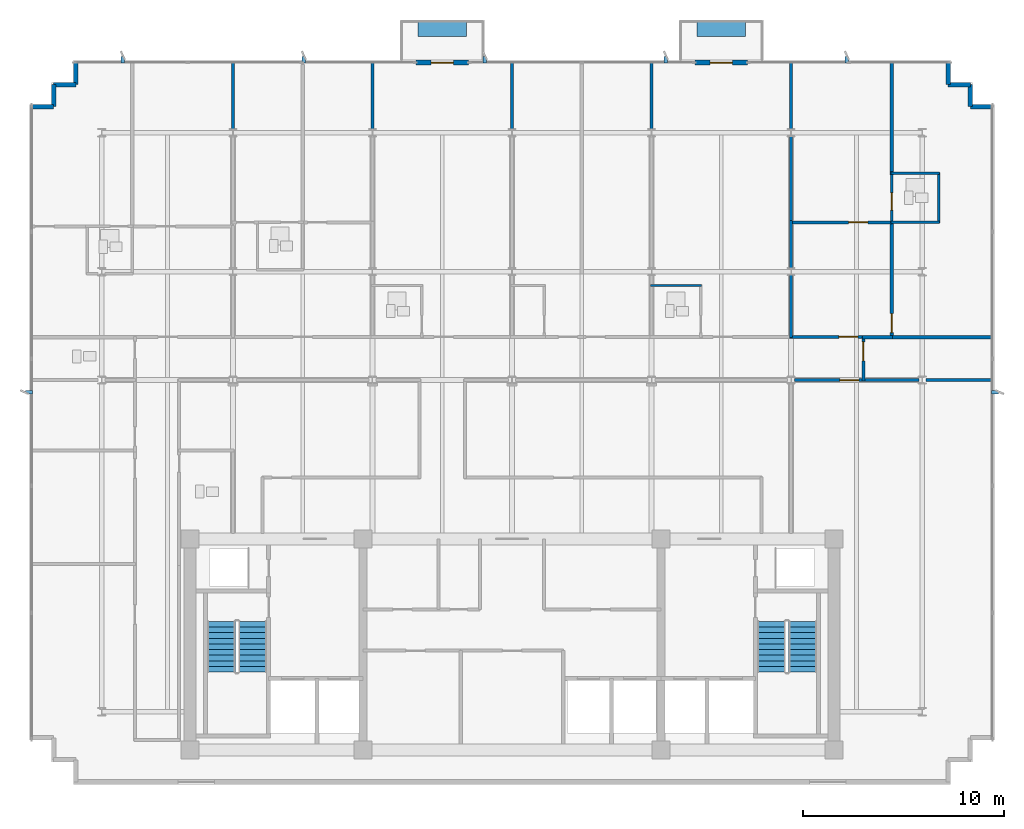
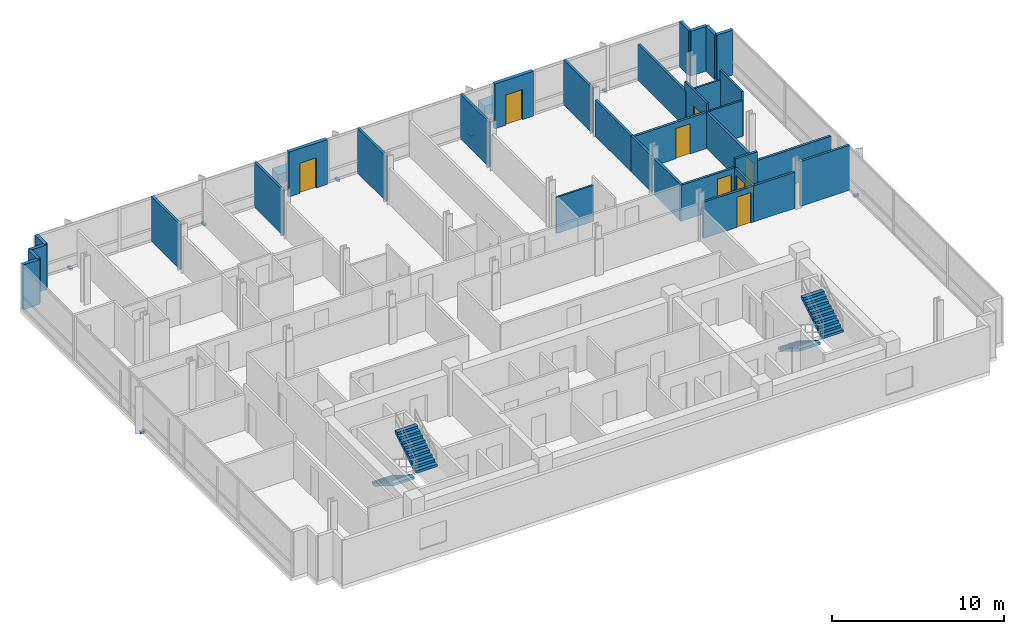
# One storey, part 11 of 14: 33 walls, 9 discrete accessories, 8 doors, 4 stair flights, 8 openings, 2 elements without a shape of their own.
"""IFC4 building model written with IfcOpenShell, lengths in metres."""

import ifcopenshell
import ifcopenshell.guid

model = None  # the IFC model being written
_history = None  # IfcOwnerHistory: only IFC2X3 demands one
_inside = {}  # id of a spatial element -> (the spatial element, [elements in it])
_under = {}  # id of a project, library or spatial element -> (it, [spatial elements below it])
_declared = {}  # id of a project -> (the project, [libraries it declares])
_typed = {}  # id of a type object -> (the type object, [elements of that type])
_made_of = {}  # id of a material, layer set ... -> (it, [elements and type objects made of it])


def new_model(schema):
    """Start an empty IFC model of exactly this schema.

    Asked for "IFC4X3", IfcOpenShell would pick the latest addendum, in which some entities
    have other attributes; the version numbers below select the first issue.
    IFC2X3 requires an IfcOwnerHistory on every rooted entity: one is made here for all.
    """
    global model, _history
    if schema == "IFC4X3":
        model = ifcopenshell.file(schema_version=(4, 3, 0, 0))
    else:
        model = ifcopenshell.file(schema=schema)
    _inside.clear()
    _under.clear()
    _declared.clear()
    _typed.clear()
    _made_of.clear()
    _history = None
    if model.schema == "IFC2X3":
        org = make("IfcOrganization", Name="unknown")
        user = make(
            "IfcPersonAndOrganization",
            ThePerson=make("IfcPerson", FamilyName="unknown"),
            TheOrganization=org,
        )
        app = make(
            "IfcApplication",
            ApplicationDeveloper=org,
            Version="unknown",
            ApplicationFullName="unknown",
            ApplicationIdentifier="unknown",
        )
        _history = make(
            "IfcOwnerHistory",
            OwningUser=user,
            OwningApplication=app,
            ChangeAction="ADDED",
            CreationDate=0,
        )
    return model


def make(cls, **values):
    """One entity of the class cls with the attributes given. An attribute that is None is left unset."""
    return model.create_entity(
        cls, **{name: value for name, value in values.items() if value is not None}
    )


def rooted(cls, **values):
    """An entity with a GlobalId (a new one), such as an element, a storey or a relation."""
    return make(cls, GlobalId=ifcopenshell.guid.new(), OwnerHistory=_history, **values)


def si_unit(unit_type, name, prefix=None):
    """IfcSIUnit, for example si_unit("LENGTHUNIT", "METRE", prefix="MILLI")."""
    return make("IfcSIUnit", UnitType=unit_type, Prefix=prefix, Name=name)


def assignment(units):
    """IfcUnitAssignment: the units of a project."""
    return None if units is None else make("IfcUnitAssignment", Units=units)


def point(xyz):
    """IfcCartesianPoint."""
    return None if xyz is None else make("IfcCartesianPoint", Coordinates=xyz)


def direction(xyz):
    """IfcDirection."""
    return None if xyz is None else make("IfcDirection", DirectionRatios=xyz)


def frame(location, z_axis=None, x_axis=None):
    """IfcAxis2Placement3D, a coordinate frame: its origin and axes. An axis left out is left unset."""
    return make(
        "IfcAxis2Placement3D",
        Location=point(location),
        Axis=direction(z_axis),
        RefDirection=direction(x_axis),
    )


def frame_2d(location, x_axis=None):
    """IfcAxis2Placement2D, a coordinate frame in the plane: its origin and x axis."""
    return make(
        "IfcAxis2Placement2D", Location=point(location), RefDirection=direction(x_axis)
    )


def origin():
    """The frame at (0, 0, 0) with its axes left unset."""
    return frame((0.0, 0.0, 0.0))


def origin_2d():
    """The frame at (0, 0) in the plane with its x axis left unset."""
    return frame_2d((0.0, 0.0))


def place(relative_to, where):
    """IfcLocalPlacement: puts the frame where relative to a parent placement (None: the world)."""
    return make(
        "IfcLocalPlacement", PlacementRelTo=relative_to, RelativePlacement=where
    )


def context(
    kind, dimensions, precision=None, world=None, true_north=None, identifier=None
):
    """IfcGeometricRepresentationContext, for example the 3D "Model" context."""
    return make(
        "IfcGeometricRepresentationContext",
        ContextIdentifier=identifier,
        ContextType=kind,
        CoordinateSpaceDimension=dimensions,
        Precision=precision,
        WorldCoordinateSystem=world,
        TrueNorth=true_north,
    )


def subcontext(parent, identifier, kind, view, scale=None):
    """IfcGeometricRepresentationSubContext, for example "Body" below "Model"."""
    return make(
        "IfcGeometricRepresentationSubContext",
        ContextIdentifier=identifier,
        ContextType=kind,
        ParentContext=parent,
        TargetScale=scale,
        TargetView=view,
    )


def project(units=None, contexts=None):
    """IfcProject with its units and contexts."""
    return rooted(
        "IfcProject",
        Name="project",
        RepresentationContexts=contexts,
        UnitsInContext=assignment(units),
    )


def spatial(cls, under=None, at=None, **own):
    """A site, building, storey or space (cls), placed at a placement, below another one or the project."""
    s = rooted(cls, ObjectPlacement=at, **own)
    if under is not None:
        _under.setdefault(under.id(), (under, []))[1].append(s)
    return s


def polyline(points):
    """IfcPolyline through the points."""
    return make("IfcPolyline", Points=[point(p) for p in points])


def profile(cls, at=None, kind="AREA", **sizes):
    """A parametric profile (cls). Its sizes go by their IFC names, for example OverallWidth=200.0."""
    return make(cls, ProfileType=kind, Position=at, **sizes)


def rectangle(**sizes):
    """IfcRectangleProfileDef."""
    return profile("IfcRectangleProfileDef", **sizes)


def outline(outer, holes=None, kind="AREA"):
    """IfcArbitraryClosedProfileDef: a profile drawn as a closed curve; with holes, ...WithVoids."""
    if holes is None:
        return make("IfcArbitraryClosedProfileDef", ProfileType=kind, OuterCurve=outer)
    return make(
        "IfcArbitraryProfileDefWithVoids",
        ProfileType=kind,
        OuterCurve=outer,
        InnerCurves=holes,
    )


def extrude(swept, where, along, depth):
    """IfcExtrudedAreaSolid: the profile swept, set in the frame where, extruded along a direction by depth."""
    return make(
        "IfcExtrudedAreaSolid",
        SweptArea=swept,
        Position=where,
        ExtrudedDirection=direction(along),
        Depth=depth,
    )


def shape(context_of_items, identifier, shape_type, items):
    """IfcShapeRepresentation: the items that make up one representation, for example the "Body"."""
    return make(
        "IfcShapeRepresentation",
        ContextOfItems=context_of_items,
        RepresentationIdentifier=identifier,
        RepresentationType=shape_type,
        Items=items,
    )


def material(Name=None, Category=None):
    """IfcMaterial."""
    return make("IfcMaterial", Name=Name, Category=Category)


def layer(
    of_material, thickness, ventilated=None, Name=None, Category=None, Priority=None
):
    """IfcMaterialLayer: one layer of a wall or slab, of a material (None: an air gap)."""
    return make(
        "IfcMaterialLayer",
        Material=of_material,
        LayerThickness=thickness,
        IsVentilated=ventilated,
        Name=Name,
        Category=Category,
        Priority=Priority,
    )


def layer_set(layers, Name=None):
    """IfcMaterialLayerSet."""
    return make("IfcMaterialLayerSet", MaterialLayers=layers, LayerSetName=Name)


def made_of(thing, what):
    """Note that an element or type object is made of a material, layer set ...; save() writes the relation."""
    if what is not None:
        _made_of.setdefault(what.id(), (what, []))[1].append(thing)
    return thing


def type_object(cls, material=None, **own):
    """A type object (cls), such as IfcWallType, which elements share."""
    return made_of(rooted(cls, **own), material)


def element(
    cls,
    number,
    at=None,
    inside=None,
    cuts=None,
    type_object=None,
    material=None,
    context=None,
    identifier="Body",
    shape_type=None,
    held_by="IfcProductDefinitionShape",
    body=None,
    shapes=None,
    **own,
):
    """One element of the class cls, such as IfcWall. Its Tag is "e" and its number.

    at: its placement. inside: the storey or other place that contains it. cuts: it is an
    opening in that element (IfcRelVoidsElement). A single representation is given by context,
    identifier, shape_type and body (its items); several are given by shapes. held_by: the class
    of the entity that holds the representations. save() writes the other relations.
    """
    e = rooted(cls, Tag="e%d" % number, ObjectPlacement=at, **own)
    if body is not None:
        shapes = [shape(context, identifier, shape_type, body)]
    if shapes is not None:
        e.Representation = make(held_by, Representations=shapes)
    if inside is not None:
        _inside.setdefault(inside.id(), (inside, []))[1].append(e)
    if cuts is not None:
        rooted(
            "IfcRelVoidsElement", RelatingBuildingElement=cuts, RelatedOpeningElement=e
        )
    if type_object is not None:
        _typed.setdefault(type_object.id(), (type_object, []))[1].append(e)
    return made_of(e, material)


def fill(opening, filler):
    """IfcRelFillsElement: the door or window that sits in an opening."""
    return rooted(
        "IfcRelFillsElement",
        RelatingOpeningElement=opening,
        RelatedBuildingElement=filler,
    )


def aggregate(whole, parts):
    """IfcRelAggregates: a whole, such as a stair, and the parts it consists of."""
    return rooted("IfcRelAggregates", RelatingObject=whole, RelatedObjects=parts)


def save(model, path):
    """Write the relations noted so far, then the file.

    IfcRelAggregates (storeys below a building ...), IfcRelContainedInSpatialStructure (elements
    in a storey), IfcRelDefinesByType, IfcRelAssociatesMaterial and IfcRelDeclares: one each for
    every whole, place, type object, material and project.
    """
    for whole, parts in _under.values():
        aggregate(whole, parts)
    for where, things in _inside.values():
        rooted(
            "IfcRelContainedInSpatialStructure",
            RelatedElements=things,
            RelatingStructure=where,
        )
    for kind, things in _typed.values():
        rooted("IfcRelDefinesByType", RelatedObjects=things, RelatingType=kind)
    for what, things in _made_of.values():
        rooted("IfcRelAssociatesMaterial", RelatedObjects=things, RelatingMaterial=what)
    for by, libraries in _declared.values():
        rooted("IfcRelDeclares", RelatingContext=by, RelatedDefinitions=libraries)
    model.write(path)


model = new_model("IFC4")

# Units and contexts
model_context = context("Model", 3, precision=1e-05, world=origin(), true_north=direction((0.0, 1.0)))
body_context = subcontext(model_context, "Body", "Model", "MODEL_VIEW")
ifc_project = project(units=[si_unit("LENGTHUNIT", "METRE"), si_unit("AREAUNIT", "SQUARE_METRE"), si_unit("VOLUMEUNIT", "CUBIC_METRE"), si_unit("PLANEANGLEUNIT", "RADIAN"), si_unit("MASSUNIT", "GRAM", prefix="KILO")], contexts=[model_context])

# Site, building, storey
site_placement = place(None, origin())
site = spatial("IfcSite", under=ifc_project, at=site_placement, CompositionType="ELEMENT")
building_placement = place(site_placement, origin())
building = spatial("IfcBuilding", under=site, at=building_placement, Name="Solmavex Isthmus Hotel", CompositionType="ELEMENT")
storey_placement = place(building_placement, frame((0.0, 0.0, 255.75)))
storey = spatial("IfcBuildingStorey", under=building, at=storey_placement, Name="L69", CompositionType="ELEMENT", Elevation=255.75)

# Wall, opening, door
ifc_material_1 = material(Name="Precast Concrete C40/50", Category="concrete")
ifc_layer_1 = layer(ifc_material_1, 0.25)
ifc_layer_set_1 = layer_set([ifc_layer_1], Name="Precast Concrete C40/50")
wall_type_1 = type_object("IfcWallType", Name="EW-TWR-250", PredefinedType="STANDARD", material=ifc_layer_set_1)
wall_1_placement = place(storey_placement, frame((-4.76806640625, 21.179931640625, 0.0), z_axis=(0.0, 0.0, 1.0), x_axis=(1.0, 0.0, 0.0)))
wall_1 = element("IfcWall", 1, at=wall_1_placement, inside=storey, type_object=wall_type_1, Name="Exterior Balcony Door Wall L69-2", PredefinedType="STANDARD", context=body_context, shape_type="SweptSolid", body=[
    extrude(rectangle(XDim=2.60009765625, YDim=0.239990234375, at=frame_2d((1.300048828125, 0.0))), origin(), (0.0, 0.0, 1.0), 3.18994140625),
])
opening_1_placement = place(wall_1_placement, frame((0.75, 0.0, 0.0)))
opening_1 = element("IfcOpeningElement", 2, at=opening_1_placement, cuts=wall_1, Name="Opening ED-02", PredefinedType="OPENING", context=body_context, shape_type="SweptSolid", body=[
    extrude(rectangle(XDim=1.10009765625, YDim=2.14990234375, at=frame_2d((0.550048828125, 1.074951171875))), frame((0.0, 0.1298828125, 0.0), z_axis=(0.0, -1.0, 0.0), x_axis=(1.0, 0.0, 0.0)), (0.0, 0.0, 1.0), 0.260009765625),
])
ifc_material_2 = material(Name="Aluminium alloy 6063-T6", Category="aluminium")
door_type_1 = type_object("IfcDoorType", Name="EDR-BALC-1100", OperationType="NOTDEFINED", PredefinedType="DOOR", material=ifc_material_2)
door_1_placement = place(opening_1_placement, origin())
door_1 = element("IfcDoor", 3, at=door_1_placement, inside=storey, type_object=door_type_1, Name="Balcony & Terrace Glazed Door L69-2", OperationType="SINGLE_SWING_RIGHT", OverallHeight=2.14990234375, OverallWidth=1.10009765625, PredefinedType="DOOR", context=body_context, shape_type="SweptSolid", body=[
    extrude(rectangle(XDim=1.10009765625, YDim=2.14990234375, at=frame_2d((0.550048828125, 1.074951171875))), frame((0.0, 0.02490234375, 0.0), z_axis=(0.0, -1.0, 0.0), x_axis=(1.0, 0.0, 0.0)), (0.0, 0.0, 1.0), 0.050048828125),
])
fill(opening_1, door_1)

wall_2_placement = place(storey_placement, frame((9.10400390625, 21.179931640625, 0.0), z_axis=(0.0, 0.0, 1.0), x_axis=(1.0, 0.0, 0.0)))
wall_2 = element("IfcWall", 4, at=wall_2_placement, inside=storey, type_object=wall_type_1, Name="Exterior Balcony Door Wall L69-3", PredefinedType="STANDARD", context=body_context, shape_type="SweptSolid", body=[
    extrude(rectangle(XDim=2.60009765625, YDim=0.239990234375, at=frame_2d((1.300048828125, 0.0))), origin(), (0.0, 0.0, 1.0), 3.18994140625),
])
opening_2_placement = place(wall_2_placement, frame((0.75, 0.0, 0.0)))
opening_2 = element("IfcOpeningElement", 5, at=opening_2_placement, cuts=wall_2, Name="Opening ED-02", PredefinedType="OPENING", context=body_context, shape_type="SweptSolid", body=[
    extrude(rectangle(XDim=1.10009765625, YDim=2.14990234375, at=frame_2d((0.550048828125, 1.074951171875))), frame((0.0, 0.1298828125, 0.0), z_axis=(0.0, -1.0, 0.0), x_axis=(1.0, 0.0, 0.0)), (0.0, 0.0, 1.0), 0.260009765625),
])
door_2_placement = place(opening_2_placement, origin())
door_2 = element("IfcDoor", 6, at=door_2_placement, inside=storey, type_object=door_type_1, Name="Balcony & Terrace Glazed Door L69-3", OperationType="SINGLE_SWING_LEFT", OverallHeight=2.14990234375, OverallWidth=1.10009765625, PredefinedType="DOOR", context=body_context, shape_type="SweptSolid", body=[
    extrude(rectangle(XDim=1.10009765625, YDim=2.14990234375, at=frame_2d((0.550048828125, 1.074951171875))), frame((0.0, 0.02490234375, 0.0), z_axis=(0.0, -1.0, 0.0), x_axis=(1.0, 0.0, 0.0)), (0.0, 0.0, 1.0), 0.050048828125),
])
fill(opening_2, door_2)

# Walls
wall_3_placement = place(storey_placement, frame((-23.889892578125, 18.989990234375, 0.0), z_axis=(0.0, 0.0, 1.0), x_axis=(1.0, 0.0, 0.0)))
element("IfcWall", 7, at=wall_3_placement, inside=storey, type_object=wall_type_1, Name="Serrated Corner Facade Panel L69-06", PredefinedType="STANDARD", context=body_context, shape_type="SweptSolid", body=[
    extrude(rectangle(XDim=1.099853515625, YDim=0.219970703125, at=frame_2d((0.5498046875, 0.0))), origin(), (0.0, 0.0, 1.0), 3.18994140625),
])
for number, where, z_axis, x_axis, name in (
    (8, (-22.7900390625, 18.989990234375, 0.0), (0.0, 0.0, 1.0), (0.0, 1.0, 0.0), "Serrated Corner Facade Panel L69-07"),
    (9, (-22.7900390625, 20.090087890625, 0.0), (0.0, 0.0, 1.0), (1.0, 0.0, 0.0), "Serrated Corner Facade Panel L69-08"),
):
    element("IfcWall", number, at=place(storey_placement, frame(where, z_axis=z_axis, x_axis=x_axis)), inside=storey, type_object=wall_type_1, Name=name, PredefinedType="STANDARD", context=body_context, shape_type="SweptSolid", body=[
        extrude(rectangle(XDim=1.10009765625, YDim=0.219970703125, at=frame_2d((0.550048828125, 0.0))), origin(), (0.0, 0.0, 1.0), 3.18994140625),
    ])
for number, where, z_axis, x_axis, name in (
    (10, (-21.68994140625, 20.090087890625, 0.0), (0.0, 0.0, 1.0), (0.0, 1.0, 0.0), "Serrated Corner Facade Panel L69-09"),
    (11, (21.68994140625, 21.18994140625, 0.0), (0.0, 0.0, 1.0), (0.0, -1.0, 0.0), "Serrated Corner Facade Panel L69-11"),
):
    element("IfcWall", number, at=place(storey_placement, frame(where, z_axis=z_axis, x_axis=x_axis)), inside=storey, type_object=wall_type_1, Name=name, PredefinedType="STANDARD", context=body_context, shape_type="SweptSolid", body=[
        extrude(rectangle(XDim=1.099853515625, YDim=0.219970703125, at=frame_2d((0.5498046875, 0.0))), origin(), (0.0, 0.0, 1.0), 3.18994140625),
    ])
for number, where, z_axis, x_axis, name in (
    (12, (21.68994140625, 20.090087890625, 0.0), (0.0, 0.0, 1.0), (1.0, 0.0, 0.0), "Serrated Corner Facade Panel L69-12"),
    (13, (22.7900390625, 20.090087890625, 0.0), (0.0, 0.0, 1.0), (0.0, -1.0, 0.0), "Serrated Corner Facade Panel L69-13"),
):
    element("IfcWall", number, at=place(storey_placement, frame(where, z_axis=z_axis, x_axis=x_axis)), inside=storey, type_object=wall_type_1, Name=name, PredefinedType="STANDARD", context=body_context, shape_type="SweptSolid", body=[
        extrude(rectangle(XDim=1.10009765625, YDim=0.219970703125, at=frame_2d((0.550048828125, 0.0))), origin(), (0.0, 0.0, 1.0), 3.18994140625),
    ])
wall_4_placement = place(storey_placement, frame((22.7900390625, 18.989990234375, 0.0), z_axis=(0.0, 0.0, 1.0), x_axis=(1.0, 0.0, 0.0)))
element("IfcWall", 14, at=wall_4_placement, inside=storey, type_object=wall_type_1, Name="Serrated Corner Facade Panel L69-14", PredefinedType="STANDARD", context=body_context, shape_type="SweptSolid", body=[
    extrude(rectangle(XDim=1.099853515625, YDim=0.219970703125, at=frame_2d((0.5498046875, 0.0))), origin(), (0.0, 0.0, 1.0), 3.18994140625),
])
ifc_material_3 = material(Name="Gypsum plasterboard lining", Category="gypsum")
ifc_layer_2 = layer(ifc_material_3, 0.159912109375)
ifc_layer_set_2 = layer_set([ifc_layer_2], Name="Gypsum plasterboard lining")
wall_type_2 = type_object("IfcWallType", Name="IW-COMP-160", PredefinedType="PARTITIONING", material=ifc_layer_set_2)
for number, where, z_axis, x_axis, name in (
    (15, (-13.8720703125, 21.219970703125, 0.0), (0.0, 0.0, 1.0), (0.0, -1.0, 0.0), "Interior Partition Wall W-L69-P049"),
    (16, (-6.93603515625, 21.219970703125, 0.0), (0.0, 0.0, 1.0), (0.0, -1.0, 0.0), "Interior Partition Wall W-L69-P060"),
    (17, (0.0, 21.219970703125, 0.0), (0.0, 0.0, 1.0), (0.0, -1.0, 0.0), "Interior Partition Wall W-L69-P065"),
    (18, (6.93603515625, 21.219970703125, 0.0), (0.0, 0.0, 1.0), (0.0, -1.0, 0.0), "Interior Partition Wall W-L69-P071"),
):
    element("IfcWall", number, at=place(storey_placement, frame(where, z_axis=z_axis, x_axis=x_axis)), inside=storey, type_object=wall_type_2, Name=name, PredefinedType="PARTITIONING", context=body_context, shape_type="SweptSolid", body=[
        extrude(rectangle(XDim=3.344970703125, YDim=0.159912109375, at=frame_2d((1.67236328125, 0.0))), origin(), (0.0, 0.0, 1.0), 3.18994140625),
    ])
wall_5_placement = place(storey_placement, frame((13.8720703125, 10.613037109375, 0.0), z_axis=(0.0, 0.0, 1.0), x_axis=(0.0, -1.0, 0.0)))
element("IfcWall", 19, at=wall_5_placement, inside=storey, type_object=wall_type_2, Name="Interior Partition Wall W-L69-P074", PredefinedType="PARTITIONING", context=body_context, shape_type="SweptSolid", body=[
    extrude(rectangle(XDim=3.10302734375, YDim=0.159912109375, at=frame_2d((1.551513671875, 0.0))), origin(), (0.0, 0.0, 1.0), 2.572265625),
])
wall_6_placement = place(storey_placement, frame((13.8720703125, 13.320068359375, 0.0), z_axis=(0.0, 0.0, 1.0), x_axis=(0.0, -1.0, 0.0)))
element("IfcWall", 20, at=wall_6_placement, inside=storey, type_object=wall_type_2, Name="Interior Partition Wall W-L69-P075", PredefinedType="PARTITIONING", context=body_context, shape_type="SweptSolid", body=[
    extrude(rectangle(XDim=2.357177734375, YDim=0.159912109375, at=frame_2d((1.1787109375, 0.0))), origin(), (0.0, 0.0, 1.0), 2.572265625),
])
wall_7_placement = place(storey_placement, frame((13.8720703125, 17.52490234375, 0.0), z_axis=(0.0, 0.0, 1.0), x_axis=(0.0, -1.0, 0.0)))
element("IfcWall", 21, at=wall_7_placement, inside=storey, type_object=wall_type_2, Name="Interior Partition Wall W-L69-P076", PredefinedType="PARTITIONING", context=body_context, shape_type="SweptSolid", body=[
    extrude(rectangle(XDim=4.368896484375, YDim=0.159912109375, at=frame_2d((2.1845703125, 0.0))), origin(), (0.0, 0.0, 1.0), 2.572265625),
])
wall_8_placement = place(storey_placement, frame((13.8720703125, 21.219970703125, 0.0), z_axis=(0.0, 0.0, 1.0), x_axis=(0.0, -1.0, 0.0)))
element("IfcWall", 22, at=wall_8_placement, inside=storey, type_object=wall_type_2, Name="Interior Partition Wall W-L69-P077", PredefinedType="PARTITIONING", context=body_context, shape_type="SweptSolid", body=[
    extrude(rectangle(XDim=3.344970703125, YDim=0.159912109375, at=frame_2d((1.67236328125, 0.0))), origin(), (0.0, 0.0, 1.0), 3.18994140625),
])

# Wall, opening, door
wall_9_placement = place(storey_placement, frame((13.83203125, 13.238037109375, 0.0), z_axis=(0.0, 0.0, 1.0), x_axis=(1.0, 0.0, 0.0)))
wall_9 = element("IfcWall", 23, at=wall_9_placement, inside=storey, type_object=wall_type_2, Name="Interior Partition Wall W-L69-P078", PredefinedType="PARTITIONING", context=body_context, shape_type="SweptSolid", body=[
    extrude(rectangle(XDim=5.083984375, YDim=0.159912109375, at=frame_2d((2.5419921875, 0.0))), origin(), (0.0, 0.0, 1.0), 2.572265625),
])
opening_3_placement = place(wall_9_placement, frame((2.90771484375, 0.0, 0.0)))
opening_3 = element("IfcOpeningElement", 24, at=opening_3_placement, cuts=wall_9, Name="Opening ID-C095", PredefinedType="OPENING", context=body_context, shape_type="SweptSolid", body=[
    extrude(rectangle(XDim=0.949951171875, YDim=2.14990234375, at=frame_2d((0.47509765625, 1.074951171875))), frame((0.0, 0.08984375, 0.0), z_axis=(0.0, -1.0, 0.0), x_axis=(1.0, 0.0, 0.0)), (0.0, 0.0, 1.0), 0.179931640625),
])
ifc_material_4 = material(Name="Hardwood timber", Category="wood")
door_type_2 = type_object("IfcDoorType", Name="IDR-FD60-0950", OperationType="NOTDEFINED", PredefinedType="DOOR", material=ifc_material_4)
door_3_placement = place(opening_3_placement, origin())
door_3 = element("IfcDoor", 25, at=door_3_placement, inside=storey, type_object=door_type_2, Name="Junior Suite Master Bedroom Door L69-17", OperationType="SINGLE_SWING_LEFT", OverallHeight=2.14990234375, OverallWidth=0.949951171875, PredefinedType="DOOR", context=body_context, shape_type="SweptSolid", body=[
    extrude(rectangle(XDim=0.949951171875, YDim=2.14990234375, at=frame_2d((0.47509765625, 1.074951171875))), frame((0.0, 0.02490234375, 0.0), z_axis=(0.0, -1.0, 0.0), x_axis=(1.0, 0.0, 0.0)), (0.0, 0.0, 1.0), 0.050048828125),
])
fill(opening_3, door_3)

wall_10_placement = place(storey_placement, frame((18.8759765625, 13.278076171875, 0.0), z_axis=(0.0, 0.0, 1.0), x_axis=(0.0, -1.0, 0.0)))
wall_10 = element("IfcWall", 26, at=wall_10_placement, inside=storey, type_object=wall_type_2, Name="Interior Partition Wall W-L69-P079", PredefinedType="PARTITIONING", context=body_context, shape_type="SweptSolid", body=[
    extrude(rectangle(XDim=5.7880859375, YDim=0.159912109375, at=frame_2d((2.89404296875, 0.0))), origin(), (0.0, 0.0, 1.0), 2.572265625),
])
opening_4_placement = place(wall_10_placement, frame((4.57666015625, 0.0, 0.0)))
opening_4 = element("IfcOpeningElement", 27, at=opening_4_placement, cuts=wall_10, Name="Opening ID-C095", PredefinedType="OPENING", context=body_context, shape_type="SweptSolid", body=[
    extrude(rectangle(XDim=0.949951171875, YDim=2.14990234375, at=frame_2d((0.47509765625, 1.074951171875))), frame((0.0, 0.08984375, 0.0), z_axis=(0.0, -1.0, 0.0), x_axis=(1.0, 0.0, 0.0)), (0.0, 0.0, 1.0), 0.179931640625),
])
door_4_placement = place(opening_4_placement, frame((0.949951171875, 0.0, 0.0), z_axis=(0.0, 0.0, 1.0), x_axis=(-1.0, 0.0, 0.0)))
door_4 = element("IfcDoor", 28, at=door_4_placement, inside=storey, type_object=door_type_2, Name="Junior Suite Living Lounge Door L69-18", OperationType="SINGLE_SWING_RIGHT", OverallHeight=2.14990234375, OverallWidth=0.949951171875, PredefinedType="DOOR", context=body_context, shape_type="SweptSolid", body=[
    extrude(rectangle(XDim=0.949951171875, YDim=2.14990234375, at=frame_2d((0.47509765625, 1.074951171875))), frame((0.0, 0.02490234375, 0.0), z_axis=(0.0, -1.0, 0.0), x_axis=(1.0, 0.0, 0.0)), (0.0, 0.0, 1.0), 0.050048828125),
])
fill(opening_4, door_4)

# Walls
wall_11_placement = place(storey_placement, frame((18.916015625, 7.530029296875, 0.0), z_axis=(0.0, 0.0, 1.0), x_axis=(-1.0, 0.0, 0.0)))
element("IfcWall", 29, at=wall_11_placement, inside=storey, type_object=wall_type_2, Name="Interior Partition Wall W-L69-P080", PredefinedType="PARTITIONING", context=body_context, shape_type="SweptSolid", body=[
    extrude(rectangle(XDim=1.484130859375, YDim=0.159912109375, at=frame_2d((0.7421875, 0.0))), origin(), (0.0, 0.0, 1.0), 3.18994140625),
])
wall_12_placement = place(storey_placement, frame((18.8759765625, 21.219970703125, 0.0), z_axis=(0.0, 0.0, 1.0), x_axis=(0.0, -1.0, 0.0)))
element("IfcWall", 30, at=wall_12_placement, inside=storey, type_object=wall_type_2, Name="Interior Partition Wall W-L69-P081", PredefinedType="PARTITIONING", context=body_context, shape_type="SweptSolid", body=[
    extrude(rectangle(XDim=5.614013671875, YDim=0.159912109375, at=frame_2d((2.80712890625, 0.0))), origin(), (0.0, 0.0, 1.0), 2.5576171875),
])
wall_13_placement = place(storey_placement, frame((23.919921875, 7.530029296875, 0.0), z_axis=(0.0, 0.0, 1.0), x_axis=(-1.0, 0.0, 0.0)))
element("IfcWall", 31, at=wall_13_placement, inside=storey, type_object=wall_type_2, Name="Interior Partition Wall W-L69-P086", PredefinedType="PARTITIONING", context=body_context, shape_type="SweptSolid", body=[
    extrude(rectangle(XDim=5.083984375, YDim=0.159912109375, at=frame_2d((2.5419921875, 0.0))), origin(), (0.0, 0.0, 1.0), 2.5576171875),
])
wall_14_placement = place(storey_placement, frame((20.22509765625, 5.39990234375, 0.0), z_axis=(0.0, 0.0, 1.0), x_axis=(-1.0, 0.0, 0.0)))
element("IfcWall", 32, at=wall_14_placement, inside=storey, type_object=wall_type_2, Name="Interior Partition Wall W-L69-P091", PredefinedType="PARTITIONING", context=body_context, shape_type="SweptSolid", body=[
    extrude(rectangle(XDim=2.793212890625, YDim=0.159912109375, at=frame_2d((1.396484375, 0.0))), origin(), (0.0, 0.0, 1.0), 2.572265625),
])
wall_15_placement = place(storey_placement, frame((23.919921875, 5.39990234375, 0.0), z_axis=(0.0, 0.0, 1.0), x_axis=(-1.0, 0.0, 0.0)))
element("IfcWall", 33, at=wall_15_placement, inside=storey, type_object=wall_type_2, Name="Interior Partition Wall W-L69-P092", PredefinedType="PARTITIONING", context=body_context, shape_type="SweptSolid", body=[
    extrude(rectangle(XDim=3.344970703125, YDim=0.159912109375, at=frame_2d((1.67236328125, 0.0))), origin(), (0.0, 0.0, 1.0), 3.18994140625),
])

# Wall, opening, door
ifc_layer_3 = layer(ifc_material_3, 0.14990234375)
ifc_layer_set_3 = layer_set([ifc_layer_3], Name="Gypsum plasterboard lining")
wall_type_3 = type_object("IfcWallType", Name="IW-CORR-150", PredefinedType="PARTITIONING", material=ifc_layer_set_3)
wall_16_placement = place(storey_placement, frame((13.7900390625, 7.550048828125, 0.0), z_axis=(0.0, 0.0, 1.0), x_axis=(1.0, 0.0, 0.0)))
wall_16 = element("IfcWall", 34, at=wall_16_placement, inside=storey, type_object=wall_type_3, Name="Interior Partition Wall W-L69-P010", PredefinedType="PARTITIONING", context=body_context, shape_type="SweptSolid", body=[
    extrude(rectangle(XDim=3.721923828125, YDim=0.14990234375, at=frame_2d((1.86083984375, 0.0))), origin(), (0.0, 0.0, 1.0), 2.572265625),
])
opening_5_placement = place(wall_16_placement, frame((2.456787109375, 0.0, 0.0)))
opening_5 = element("IfcOpeningElement", 35, at=opening_5_placement, cuts=wall_16, Name="Opening ID-C095", PredefinedType="OPENING", context=body_context, shape_type="SweptSolid", body=[
    extrude(rectangle(XDim=0.949951171875, YDim=2.14990234375, at=frame_2d((0.47509765625, 1.074951171875))), frame((0.0, 0.0849609375, 0.0), z_axis=(0.0, -1.0, 0.0), x_axis=(1.0, 0.0, 0.0)), (0.0, 0.0, 1.0), 0.169921875),
])
door_5_placement = place(opening_5_placement, origin())
door_5 = element("IfcDoor", 36, at=door_5_placement, inside=storey, type_object=door_type_2, Name="Junior Suite Entrance Hall Door L69-16", OperationType="SINGLE_SWING_RIGHT", OverallHeight=2.14990234375, OverallWidth=0.949951171875, PredefinedType="DOOR", context=body_context, shape_type="SweptSolid", body=[
    extrude(rectangle(XDim=0.949951171875, YDim=2.14990234375, at=frame_2d((0.47509765625, 1.074951171875))), frame((0.0, 0.02490234375, 0.0), z_axis=(0.0, -1.0, 0.0), x_axis=(1.0, 0.0, 0.0)), (0.0, 0.0, 1.0), 0.050048828125),
])
fill(opening_5, door_5)

wall_17_placement = place(storey_placement, frame((17.471923828125, 7.570068359375, 0.0), z_axis=(0.0, 0.0, 1.0), x_axis=(0.0, -1.0, 0.0)))
wall_17 = element("IfcWall", 37, at=wall_17_placement, inside=storey, type_object=wall_type_3, Name="Interior Partition Wall W-L69-P013", PredefinedType="PARTITIONING", context=body_context, shape_type="SweptSolid", body=[
    extrude(rectangle(XDim=2.2099609375, YDim=0.14990234375, at=frame_2d((1.10498046875, 0.0))), origin(), (0.0, 0.0, 1.0), 2.572265625),
])
opening_6_placement = place(wall_17_placement, frame((0.272216796875, 0.0, 0.0)))
opening_6 = element("IfcOpeningElement", 38, at=opening_6_placement, cuts=wall_17, Name="Opening ID-C095", PredefinedType="OPENING", context=body_context, shape_type="SweptSolid", body=[
    extrude(rectangle(XDim=0.949951171875, YDim=2.14990234375, at=frame_2d((0.47509765625, 1.074951171875))), frame((0.0, 0.0849609375, 0.0), z_axis=(0.0, -1.0, 0.0), x_axis=(1.0, 0.0, 0.0)), (0.0, 0.0, 1.0), 0.169921875),
])
door_6_placement = place(opening_6_placement, frame((0.949951171875, 0.0, 0.0), z_axis=(0.0, 0.0, 1.0), x_axis=(-1.0, 0.0, 0.0)))
door_6 = element("IfcDoor", 39, at=door_6_placement, inside=storey, type_object=door_type_2, Name="Finishing Kitchen Door L69-22", OperationType="SINGLE_SWING_RIGHT", OverallHeight=2.14990234375, OverallWidth=0.949951171875, PredefinedType="DOOR", context=body_context, shape_type="SweptSolid", body=[
    extrude(rectangle(XDim=0.949951171875, YDim=2.14990234375, at=frame_2d((0.47509765625, 1.074951171875))), frame((0.0, 0.02490234375, 0.0), z_axis=(0.0, -1.0, 0.0), x_axis=(1.0, 0.0, 0.0)), (0.0, 0.0, 1.0), 0.050048828125),
])
fill(opening_6, door_6)

wall_18_placement = place(storey_placement, frame((17.511962890625, 5.39990234375, 0.0), z_axis=(0.0, 0.0, 1.0), x_axis=(-1.0, 0.0, 0.0)))
wall_18 = element("IfcWall", 40, at=wall_18_placement, inside=storey, type_object=wall_type_3, Name="Interior Partition Wall W-L69-P033", PredefinedType="PARTITIONING", context=body_context, shape_type="SweptSolid", body=[
    extrude(rectangle(XDim=3.46484375, YDim=0.14990234375, at=frame_2d((1.732421875, 0.0))), origin(), (0.0, 0.0, 1.0), 2.572265625),
])
opening_7_placement = place(wall_18_placement, frame((0.26220703125, 0.0, 0.0)))
opening_7 = element("IfcOpeningElement", 41, at=opening_7_placement, cuts=wall_18, Name="Opening ID-C095", PredefinedType="OPENING", context=body_context, shape_type="SweptSolid", body=[
    extrude(rectangle(XDim=0.949951171875, YDim=2.14990234375, at=frame_2d((0.47509765625, 1.074951171875))), frame((0.0, 0.0849609375, 0.0), z_axis=(0.0, -1.0, 0.0), x_axis=(1.0, 0.0, 0.0)), (0.0, 0.0, 1.0), 0.169921875),
])
door_7_placement = place(opening_7_placement, origin())
door_7 = element("IfcDoor", 42, at=door_7_placement, inside=storey, type_object=door_type_2, Name="Reading Library Door L69-27", OperationType="SINGLE_SWING_LEFT", OverallHeight=2.14990234375, OverallWidth=0.949951171875, PredefinedType="DOOR", context=body_context, shape_type="SweptSolid", body=[
    extrude(rectangle(XDim=0.949951171875, YDim=2.14990234375, at=frame_2d((0.47509765625, 1.074951171875))), frame((0.0, 0.02490234375, 0.0), z_axis=(0.0, -1.0, 0.0), x_axis=(1.0, 0.0, 0.0)), (0.0, 0.0, 1.0), 0.050048828125),
])
fill(opening_7, door_7)

# Wall
ifc_layer_4 = layer(ifc_material_3, 0.1201171875)
ifc_layer_set_4 = layer_set([ifc_layer_4], Name="Gypsum plasterboard lining")
wall_type_4 = type_object("IfcWallType", Name="IW-PART-120", PredefinedType="PARTITIONING", material=ifc_layer_set_4)
wall_19_placement = place(storey_placement, frame((9.426025390625, 10.10009765625, 0.0), z_axis=(0.0, 0.0, 1.0), x_axis=(-1.0, 0.0, 0.0)))
element("IfcWall", 43, at=wall_19_placement, inside=storey, type_object=wall_type_4, Name="Interior Partition Wall W-L69-P073", PredefinedType="PARTITIONING", context=body_context, shape_type="SweptSolid", body=[
    extrude(rectangle(XDim=2.530029296875, YDim=0.1201171875, at=frame_2d((1.26513671875, 0.0))), origin(), (0.0, 0.0, 1.0), 2.572265625),
])

# Wall, opening, door
wall_20_placement = place(storey_placement, frame((18.8759765625, 15.77001953125, 0.0), z_axis=(0.0, 0.0, 1.0), x_axis=(0.0, -1.0, 0.0)))
wall_20 = element("IfcWall", 44, at=wall_20_placement, inside=storey, type_object=wall_type_4, Name="Interior Partition Wall W-L69-P082", PredefinedType="PARTITIONING", context=body_context, shape_type="SweptSolid", body=[
    extrude(rectangle(XDim=2.572021484375, YDim=0.1201171875, at=frame_2d((1.2861328125, 0.0))), origin(), (0.0, 0.0, 1.0), 3.18994140625),
])
opening_8_placement = place(wall_20_placement, frame((1.0703125, 0.0, 0.0)))
opening_8 = element("IfcOpeningElement", 45, at=opening_8_placement, cuts=wall_20, Name="Opening ID-U085", PredefinedType="OPENING", context=body_context, shape_type="SweptSolid", body=[
    extrude(rectangle(XDim=0.85009765625, YDim=2.10009765625, at=frame_2d((0.425048828125, 1.050048828125))), frame((0.0, 0.070068359375, 0.0), z_axis=(0.0, -1.0, 0.0), x_axis=(1.0, 0.0, 0.0)), (0.0, 0.0, 1.0), 0.14013671875),
])
door_type_3 = type_object("IfcDoorType", Name="IDR-UNR-0850", OperationType="NOTDEFINED", PredefinedType="DOOR", material=ifc_material_4)
door_8_placement = place(opening_8_placement, frame((0.85009765625, 0.0, 0.0), z_axis=(0.0, 0.0, 1.0), x_axis=(-1.0, 0.0, 0.0)))
door_8 = element("IfcDoor", 46, at=door_8_placement, inside=storey, type_object=door_type_3, Name="En-suite Bathroom Door L69-19", OperationType="SINGLE_SWING_LEFT", OverallHeight=2.10009765625, OverallWidth=0.85009765625, PredefinedType="DOOR", context=body_context, shape_type="SweptSolid", body=[
    extrude(rectangle(XDim=0.85009765625, YDim=2.10009765625, at=frame_2d((0.425048828125, 1.050048828125))), frame((0.0, 0.02490234375, 0.0), z_axis=(0.0, -1.0, 0.0), x_axis=(1.0, 0.0, 0.0)), (0.0, 0.0, 1.0), 0.050048828125),
])
fill(opening_8, door_8)

# Walls
wall_21_placement = place(storey_placement, frame((18.8359375, 13.238037109375, 0.0), z_axis=(0.0, 0.0, 1.0), x_axis=(1.0, 0.0, 0.0)))
element("IfcWall", 47, at=wall_21_placement, inside=storey, type_object=wall_type_4, Name="Interior Partition Wall W-L69-P083", PredefinedType="PARTITIONING", context=body_context, shape_type="SweptSolid", body=[
    extrude(rectangle(XDim=2.43017578125, YDim=0.1201171875, at=frame_2d((1.215087890625, 0.0))), origin(), (0.0, 0.0, 1.0), 2.5576171875),
])
wall_22_placement = place(storey_placement, frame((21.22607421875, 13.197998046875, 0.0), z_axis=(0.0, 0.0, 1.0), x_axis=(0.0, 1.0, 0.0)))
element("IfcWall", 48, at=wall_22_placement, inside=storey, type_object=wall_type_4, Name="Interior Partition Wall W-L69-P084", PredefinedType="PARTITIONING", context=body_context, shape_type="SweptSolid", body=[
    extrude(rectangle(XDim=2.530029296875, YDim=0.1201171875, at=frame_2d((1.26513671875, 0.0))), origin(), (0.0, 0.0, 1.0), 3.18994140625),
])
wall_23_placement = place(storey_placement, frame((21.26611328125, 15.68798828125, 0.0), z_axis=(0.0, 0.0, 1.0), x_axis=(-1.0, 0.0, 0.0)))
element("IfcWall", 49, at=wall_23_placement, inside=storey, type_object=wall_type_4, Name="Interior Partition Wall W-L69-P085", PredefinedType="PARTITIONING", context=body_context, shape_type="SweptSolid", body=[
    extrude(rectangle(XDim=2.43017578125, YDim=0.1201171875, at=frame_2d((1.215087890625, 0.0))), origin(), (0.0, 0.0, 1.0), 2.5576171875),
])

# Stair, stair flights
ifc_material_5 = material(Name="Concrete C40/50", Category="concrete")
stair_type_1 = type_object("IfcStairType", Name="STR-ST-1", PredefinedType="HALF_TURN_STAIR", material=ifc_material_5)
stair_1_placement = place(storey_placement, origin())
stair_1 = element("IfcStair", 50, at=stair_1_placement, inside=storey, type_object=stair_type_1, Name="L69 Protected Exit Stair ST-1", PredefinedType="HALF_TURN_STAIR")
stair_flight_type_1 = type_object("IfcStairFlightType", Name="SFL-ST-1", PredefinedType="STRAIGHT", material=ifc_material_5)
stair_flight_1_placement = place(storey_placement, frame((-14.449951171875, -6.60009765625, 0.0), z_axis=(0.0, 0.0, 1.0), x_axis=(0.0, -1.0, 0.0)))
stair_flight_1 = element("IfcStairFlight", 51, at=stair_flight_1_placement, type_object=stair_flight_type_1, Name="ST-1 flight 1", NumberOfRisers=10, NumberOfTreads=9, PredefinedType="STRAIGHT", RiserHeight=0.1725, TreadLength=0.28, context=body_context, shape_type="SweptSolid", body=[
    extrude(outline(polyline([(0.0, 0.0), (0.0, 0.172607421875), (0.280029296875, 0.172607421875), (0.280029296875, 0.344970703125), (0.56005859375, 0.344970703125), (0.56005859375, 0.517578125), (0.840087890625, 0.517578125), (0.840087890625, 0.68994140625), (1.1201171875, 0.68994140625), (1.1201171875, 0.862548828125), (1.39990234375, 0.862548828125), (1.39990234375, 1.034912109375), (1.679931640625, 1.034912109375), (1.679931640625, 1.20751953125), (1.9599609375, 1.20751953125), (1.9599609375, 1.3798828125), (2.239990234375, 1.3798828125), (2.239990234375, 1.552490234375), (2.52001953125, 1.552490234375), (2.52001953125, 1.72509765625), (2.52001953125, 1.37646484375), (0.285888671875, 0.0), (0.0, 0.0)])), frame((0.0, 0.699951171875, 0.0), z_axis=(0.0, -1.0, 0.0), x_axis=(1.0, 0.0, 0.0)), (0.0, 0.0, 1.0), 1.39990234375),
])
stair_flight_2_placement = place(storey_placement, frame((-12.89990234375, -9.1201171875, 1.72509765625), z_axis=(0.0, 0.0, 1.0), x_axis=(0.0, 1.0, 0.0)))
stair_flight_2 = element("IfcStairFlight", 52, at=stair_flight_2_placement, type_object=stair_flight_type_1, Name="ST-1 flight 2", NumberOfRisers=10, NumberOfTreads=9, PredefinedType="STRAIGHT", RiserHeight=0.1725, TreadLength=0.28, context=body_context, shape_type="SweptSolid", body=[
    extrude(outline(polyline([(0.0, 0.0), (0.0, 0.172607421875), (0.280029296875, 0.172607421875), (0.280029296875, 0.344970703125), (0.56005859375, 0.344970703125), (0.56005859375, 0.517578125), (0.840087890625, 0.517578125), (0.840087890625, 0.68994140625), (1.1201171875, 0.68994140625), (1.1201171875, 0.862548828125), (1.39990234375, 0.862548828125), (1.39990234375, 1.034912109375), (1.679931640625, 1.034912109375), (1.679931640625, 1.20751953125), (1.9599609375, 1.20751953125), (1.9599609375, 1.3798828125), (2.239990234375, 1.3798828125), (2.239990234375, 1.552490234375), (2.52001953125, 1.552490234375), (2.52001953125, 1.72509765625), (2.52001953125, 1.37646484375), (0.285888671875, 0.0), (0.0, 0.0)])), frame((0.0, 0.699951171875, 0.0), z_axis=(0.0, -1.0, 0.0), x_axis=(1.0, 0.0, 0.0)), (0.0, 0.0, 1.0), 1.39990234375),
])
aggregate(stair_1, [stair_flight_1, stair_flight_2])

stair_type_2 = type_object("IfcStairType", Name="STR-ST-2", PredefinedType="HALF_TURN_STAIR", material=ifc_material_5)
stair_2_placement = place(storey_placement, origin())
stair_2 = element("IfcStair", 53, at=stair_2_placement, inside=storey, type_object=stair_type_2, Name="L69 Protected Exit Stair ST-2", PredefinedType="HALF_TURN_STAIR")
stair_flight_type_2 = type_object("IfcStairFlightType", Name="SFL-ST-2", PredefinedType="STRAIGHT", material=ifc_material_5)
stair_flight_3_placement = place(storey_placement, frame((12.89990234375, -6.60009765625, 0.0), z_axis=(0.0, 0.0, 1.0), x_axis=(0.0, -1.0, 0.0)))
stair_flight_3 = element("IfcStairFlight", 54, at=stair_flight_3_placement, type_object=stair_flight_type_2, Name="ST-2 flight 1", NumberOfRisers=10, NumberOfTreads=9, PredefinedType="STRAIGHT", RiserHeight=0.1725, TreadLength=0.28, context=body_context, shape_type="SweptSolid", body=[
    extrude(outline(polyline([(0.0, 0.0), (0.0, 0.172607421875), (0.280029296875, 0.172607421875), (0.280029296875, 0.344970703125), (0.56005859375, 0.344970703125), (0.56005859375, 0.517578125), (0.840087890625, 0.517578125), (0.840087890625, 0.68994140625), (1.1201171875, 0.68994140625), (1.1201171875, 0.862548828125), (1.39990234375, 0.862548828125), (1.39990234375, 1.034912109375), (1.679931640625, 1.034912109375), (1.679931640625, 1.20751953125), (1.9599609375, 1.20751953125), (1.9599609375, 1.3798828125), (2.239990234375, 1.3798828125), (2.239990234375, 1.552490234375), (2.52001953125, 1.552490234375), (2.52001953125, 1.72509765625), (2.52001953125, 1.37646484375), (0.285888671875, 0.0), (0.0, 0.0)])), frame((0.0, 0.699951171875, 0.0), z_axis=(0.0, -1.0, 0.0), x_axis=(1.0, 0.0, 0.0)), (0.0, 0.0, 1.0), 1.39990234375),
])
stair_flight_4_placement = place(storey_placement, frame((14.449951171875, -9.1201171875, 1.72509765625), z_axis=(0.0, 0.0, 1.0), x_axis=(0.0, 1.0, 0.0)))
stair_flight_4 = element("IfcStairFlight", 55, at=stair_flight_4_placement, type_object=stair_flight_type_2, Name="ST-2 flight 2", NumberOfRisers=10, NumberOfTreads=9, PredefinedType="STRAIGHT", RiserHeight=0.1725, TreadLength=0.28, context=body_context, shape_type="SweptSolid", body=[
    extrude(outline(polyline([(0.0, 0.0), (0.0, 0.172607421875), (0.280029296875, 0.172607421875), (0.280029296875, 0.344970703125), (0.56005859375, 0.344970703125), (0.56005859375, 0.517578125), (0.840087890625, 0.517578125), (0.840087890625, 0.68994140625), (1.1201171875, 0.68994140625), (1.1201171875, 0.862548828125), (1.39990234375, 0.862548828125), (1.39990234375, 1.034912109375), (1.679931640625, 1.034912109375), (1.679931640625, 1.20751953125), (1.9599609375, 1.20751953125), (1.9599609375, 1.3798828125), (2.239990234375, 1.3798828125), (2.239990234375, 1.552490234375), (2.52001953125, 1.552490234375), (2.52001953125, 1.72509765625), (2.52001953125, 1.37646484375), (0.285888671875, 0.0), (0.0, 0.0)])), frame((0.0, 0.699951171875, 0.0), z_axis=(0.0, -1.0, 0.0), x_axis=(1.0, 0.0, 0.0)), (0.0, 0.0, 1.0), 1.39990234375),
])
aggregate(stair_2, [stair_flight_3, stair_flight_4])

# Discrete accessories
ifc_material_6 = material(Name="Steel ASTM A572 Grade 50", Category="steel")
discrete_accessory_type_1 = type_object("IfcDiscreteAccessoryType", Name="ACC-BRK-FIN", PredefinedType="BRACKET", material=ifc_material_6)
for number, where, z_axis, x_axis, name in (
    (56, (-19.35009765625, 21.320068359375, -0.169921875), (0.0, 0.0, 1.0), (0.0, 1.0, 0.0), "Facade Fin Support Bracket L69-N1"),
    (57, (-10.35009765625, 21.320068359375, -0.169921875), (0.0, 0.0, 1.0), (0.0, 1.0, 0.0), "Facade Fin Support Bracket L69-N2"),
    (58, (-1.35009765625, 21.320068359375, -0.169921875), (0.0, 0.0, 1.0), (0.0, 1.0, 0.0), "Facade Fin Support Bracket L69-N3"),
    (59, (7.64990234375, 21.320068359375, -0.169921875), (0.0, 0.0, 1.0), (0.0, 1.0, 0.0), "Facade Fin Support Bracket L69-N4"),
    (60, (16.64990234375, 21.320068359375, -0.169921875), (0.0, 0.0, 1.0), (0.0, 1.0, 0.0), "Facade Fin Support Bracket L69-N5"),
    (61, (-24.02001953125, 4.800048828125, -0.169921875), (0.0, 0.0, 1.0), (-1.0, 0.0, 0.0), "Facade Fin Support Bracket L69-W1"),
    (62, (24.02001953125, 4.800048828125, -0.169921875), (0.0, 0.0, 1.0), (1.0, 0.0, 0.0), "Facade Fin Support Bracket L69-E1"),
):
    element("IfcDiscreteAccessory", number, at=place(storey_placement, frame(where, z_axis=z_axis, x_axis=x_axis)), inside=storey, type_object=discrete_accessory_type_1, Name=name, PredefinedType="BRACKET", context=body_context, shape_type="SweptSolid", body=[
        extrude(rectangle(XDim=0.340087890625, YDim=0.179931640625, at=origin_2d()), origin(), (0.0, 0.0, 1.0), 0.159912109375),
    ])
discrete_accessory_type_2 = type_object("IfcDiscreteAccessoryType", Name="ACC-PLN-BALC", PredefinedType="USERDEFINED", material=ifc_material_1)
for number, where, z_axis, x_axis, name in (
    (63, (-3.468017578125, 22.85009765625, 0.0), (0.0, 0.0, 1.0), (1.0, 0.0, 0.0), "Tree-Balcony Architectural Planter L69-B1"),
    (64, (10.404052734375, 22.85009765625, 0.0), (0.0, 0.0, 1.0), (1.0, 0.0, 0.0), "Tree-Balcony Architectural Planter L69-B2"),
):
    element("IfcDiscreteAccessory", number, at=place(storey_placement, frame(where, z_axis=z_axis, x_axis=x_axis)), inside=storey, type_object=discrete_accessory_type_2, Name=name, ObjectType="PLANTER", PredefinedType="USERDEFINED", context=body_context, shape_type="SweptSolid", body=[
        extrude(rectangle(XDim=2.39990234375, YDim=0.75, at=origin_2d()), origin(), (0.0, 0.0, 1.0), 0.699951171875),
    ])

save(model, "model.ifc")
